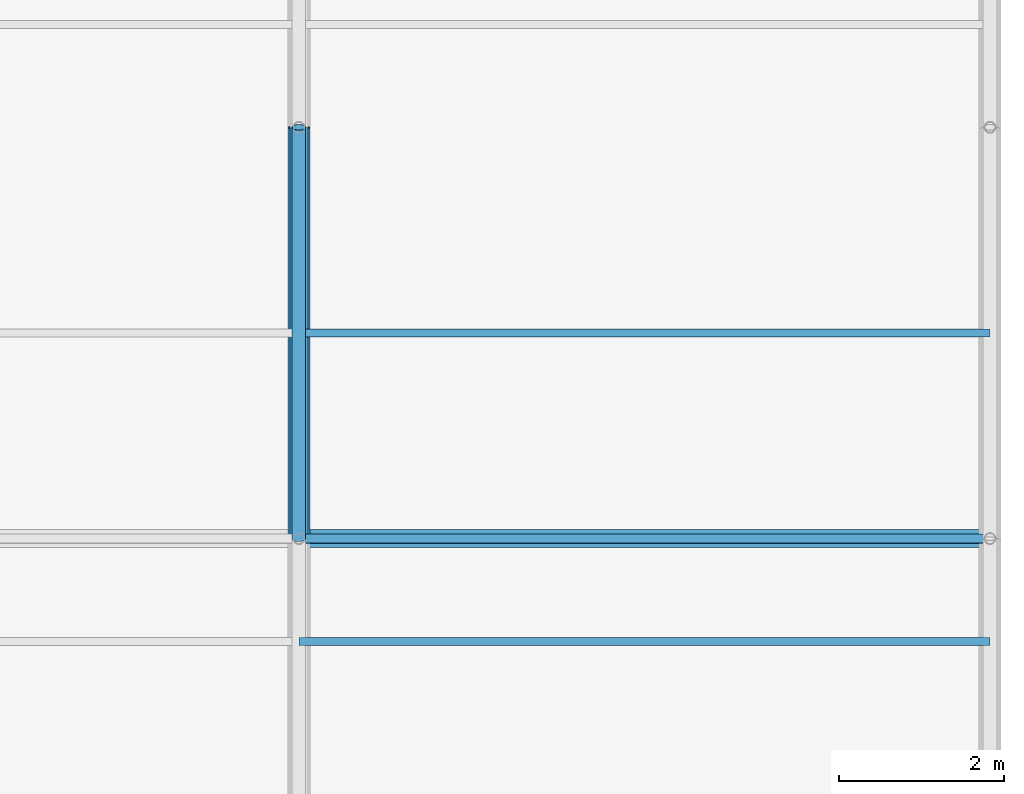
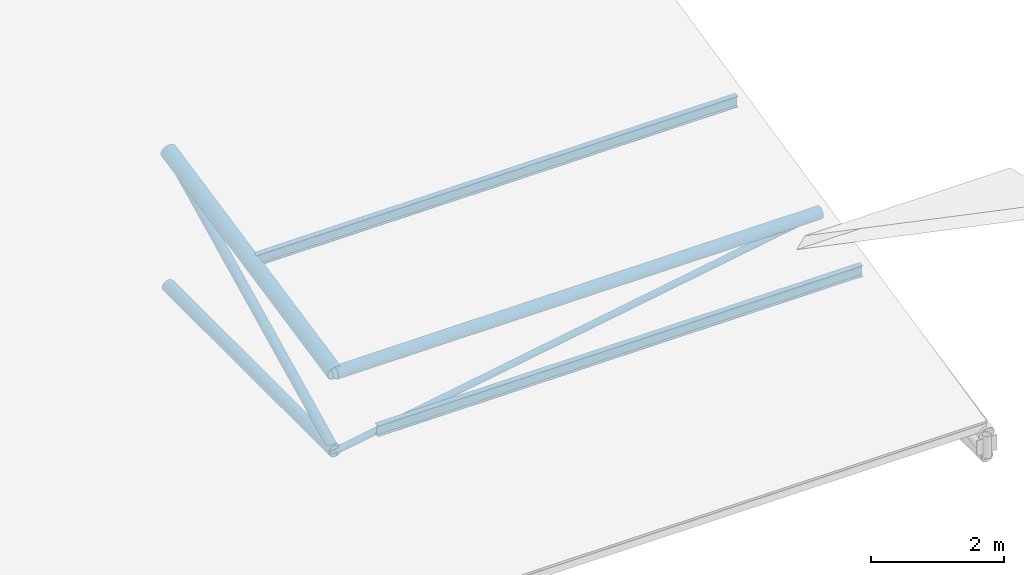
# One storey, part 82 of 194: 5 members, 2 beams.
"""IFC4 building model written with IfcOpenShell, lengths in metres."""

import ifcopenshell
import ifcopenshell.guid

model = None  # the IFC model being written
_history = None  # IfcOwnerHistory: only IFC2X3 demands one
_inside = {}  # id of a spatial element -> (the spatial element, [elements in it])
_under = {}  # id of a project, library or spatial element -> (it, [spatial elements below it])
_declared = {}  # id of a project -> (the project, [libraries it declares])
_typed = {}  # id of a type object -> (the type object, [elements of that type])
_made_of = {}  # id of a material, layer set ... -> (it, [elements and type objects made of it])


def new_model(schema):
    """Start an empty IFC model of exactly this schema.

    Asked for "IFC4X3", IfcOpenShell would pick the latest addendum, in which some entities
    have other attributes; the version numbers below select the first issue.
    IFC2X3 requires an IfcOwnerHistory on every rooted entity: one is made here for all.
    """
    global model, _history
    if schema == "IFC4X3":
        model = ifcopenshell.file(schema_version=(4, 3, 0, 0))
    else:
        model = ifcopenshell.file(schema=schema)
    _inside.clear()
    _under.clear()
    _declared.clear()
    _typed.clear()
    _made_of.clear()
    _history = None
    if model.schema == "IFC2X3":
        org = make("IfcOrganization", Name="unknown")
        user = make(
            "IfcPersonAndOrganization",
            ThePerson=make("IfcPerson", FamilyName="unknown"),
            TheOrganization=org,
        )
        app = make(
            "IfcApplication",
            ApplicationDeveloper=org,
            Version="unknown",
            ApplicationFullName="unknown",
            ApplicationIdentifier="unknown",
        )
        _history = make(
            "IfcOwnerHistory",
            OwningUser=user,
            OwningApplication=app,
            ChangeAction="ADDED",
            CreationDate=0,
        )
    return model


def make(cls, **values):
    """One entity of the class cls with the attributes given. An attribute that is None is left unset."""
    return model.create_entity(
        cls, **{name: value for name, value in values.items() if value is not None}
    )


def rooted(cls, **values):
    """An entity with a GlobalId (a new one), such as an element, a storey or a relation."""
    return make(cls, GlobalId=ifcopenshell.guid.new(), OwnerHistory=_history, **values)


def si_unit(unit_type, name, prefix=None):
    """IfcSIUnit, for example si_unit("LENGTHUNIT", "METRE", prefix="MILLI")."""
    return make("IfcSIUnit", UnitType=unit_type, Prefix=prefix, Name=name)


def assignment(units):
    """IfcUnitAssignment: the units of a project."""
    return None if units is None else make("IfcUnitAssignment", Units=units)


def point(xyz):
    """IfcCartesianPoint."""
    return None if xyz is None else make("IfcCartesianPoint", Coordinates=xyz)


def direction(xyz):
    """IfcDirection."""
    return None if xyz is None else make("IfcDirection", DirectionRatios=xyz)


def frame(location, z_axis=None, x_axis=None):
    """IfcAxis2Placement3D, a coordinate frame: its origin and axes. An axis left out is left unset."""
    return make(
        "IfcAxis2Placement3D",
        Location=point(location),
        Axis=direction(z_axis),
        RefDirection=direction(x_axis),
    )


def frame_2d(location, x_axis=None):
    """IfcAxis2Placement2D, a coordinate frame in the plane: its origin and x axis."""
    return make(
        "IfcAxis2Placement2D", Location=point(location), RefDirection=direction(x_axis)
    )


def origin():
    """The frame at (0, 0, 0) with its axes left unset."""
    return frame((0.0, 0.0, 0.0))


def origin_2d():
    """The frame at (0, 0) in the plane with its x axis left unset."""
    return frame_2d((0.0, 0.0))


def place(relative_to, where):
    """IfcLocalPlacement: puts the frame where relative to a parent placement (None: the world)."""
    return make(
        "IfcLocalPlacement", PlacementRelTo=relative_to, RelativePlacement=where
    )


def context(
    kind, dimensions, precision=None, world=None, true_north=None, identifier=None
):
    """IfcGeometricRepresentationContext, for example the 3D "Model" context."""
    return make(
        "IfcGeometricRepresentationContext",
        ContextIdentifier=identifier,
        ContextType=kind,
        CoordinateSpaceDimension=dimensions,
        Precision=precision,
        WorldCoordinateSystem=world,
        TrueNorth=true_north,
    )


def subcontext(parent, identifier, kind, view, scale=None):
    """IfcGeometricRepresentationSubContext, for example "Body" below "Model"."""
    return make(
        "IfcGeometricRepresentationSubContext",
        ContextIdentifier=identifier,
        ContextType=kind,
        ParentContext=parent,
        TargetScale=scale,
        TargetView=view,
    )


def project(units=None, contexts=None):
    """IfcProject with its units and contexts."""
    return rooted(
        "IfcProject",
        Name="project",
        RepresentationContexts=contexts,
        UnitsInContext=assignment(units),
    )


def spatial(cls, under=None, at=None, **own):
    """A site, building, storey or space (cls), placed at a placement, below another one or the project."""
    s = rooted(cls, ObjectPlacement=at, **own)
    if under is not None:
        _under.setdefault(under.id(), (under, []))[1].append(s)
    return s


def profile(cls, at=None, kind="AREA", **sizes):
    """A parametric profile (cls). Its sizes go by their IFC names, for example OverallWidth=200.0."""
    return make(cls, ProfileType=kind, Position=at, **sizes)


def hollow_circle(**sizes):
    """IfcCircleHollowProfileDef."""
    return profile("IfcCircleHollowProfileDef", **sizes)


def i_section(**sizes):
    """IfcIShapeProfileDef."""
    return profile("IfcIShapeProfileDef", **sizes)


def extrude(swept, where, along, depth):
    """IfcExtrudedAreaSolid: the profile swept, set in the frame where, extruded along a direction by depth."""
    return make(
        "IfcExtrudedAreaSolid",
        SweptArea=swept,
        Position=where,
        ExtrudedDirection=direction(along),
        Depth=depth,
    )


def shape(context_of_items, identifier, shape_type, items):
    """IfcShapeRepresentation: the items that make up one representation, for example the "Body"."""
    return make(
        "IfcShapeRepresentation",
        ContextOfItems=context_of_items,
        RepresentationIdentifier=identifier,
        RepresentationType=shape_type,
        Items=items,
    )


def material(Name=None, Category=None):
    """IfcMaterial."""
    return make("IfcMaterial", Name=Name, Category=Category)


def material_profile(
    of_material, cross_section, Name=None, Category=None, Priority=None
):
    """IfcMaterialProfile: a cross section and its material."""
    return make(
        "IfcMaterialProfile",
        Name=Name,
        Material=of_material,
        Profile=cross_section,
        Priority=Priority,
        Category=Category,
    )


def profile_set(profiles, Name=None, composite=None):
    """IfcMaterialProfileSet."""
    return make(
        "IfcMaterialProfileSet",
        Name=Name,
        MaterialProfiles=profiles,
        CompositeProfile=composite,
    )


def made_of(thing, what):
    """Note that an element or type object is made of a material, layer set ...; save() writes the relation."""
    if what is not None:
        _made_of.setdefault(what.id(), (what, []))[1].append(thing)
    return thing


def type_object(cls, material=None, **own):
    """A type object (cls), such as IfcWallType, which elements share."""
    return made_of(rooted(cls, **own), material)


def element(
    cls,
    number,
    at=None,
    inside=None,
    cuts=None,
    type_object=None,
    material=None,
    context=None,
    identifier="Body",
    shape_type=None,
    held_by="IfcProductDefinitionShape",
    body=None,
    shapes=None,
    **own,
):
    """One element of the class cls, such as IfcWall. Its Tag is "e" and its number.

    at: its placement. inside: the storey or other place that contains it. cuts: it is an
    opening in that element (IfcRelVoidsElement). A single representation is given by context,
    identifier, shape_type and body (its items); several are given by shapes. held_by: the class
    of the entity that holds the representations. save() writes the other relations.
    """
    e = rooted(cls, Tag="e%d" % number, ObjectPlacement=at, **own)
    if body is not None:
        shapes = [shape(context, identifier, shape_type, body)]
    if shapes is not None:
        e.Representation = make(held_by, Representations=shapes)
    if inside is not None:
        _inside.setdefault(inside.id(), (inside, []))[1].append(e)
    if cuts is not None:
        rooted(
            "IfcRelVoidsElement", RelatingBuildingElement=cuts, RelatedOpeningElement=e
        )
    if type_object is not None:
        _typed.setdefault(type_object.id(), (type_object, []))[1].append(e)
    return made_of(e, material)


def aggregate(whole, parts):
    """IfcRelAggregates: a whole, such as a stair, and the parts it consists of."""
    return rooted("IfcRelAggregates", RelatingObject=whole, RelatedObjects=parts)


def save(model, path):
    """Write the relations noted so far, then the file.

    IfcRelAggregates (storeys below a building ...), IfcRelContainedInSpatialStructure (elements
    in a storey), IfcRelDefinesByType, IfcRelAssociatesMaterial and IfcRelDeclares: one each for
    every whole, place, type object, material and project.
    """
    for whole, parts in _under.values():
        aggregate(whole, parts)
    for where, things in _inside.values():
        rooted(
            "IfcRelContainedInSpatialStructure",
            RelatedElements=things,
            RelatingStructure=where,
        )
    for kind, things in _typed.values():
        rooted("IfcRelDefinesByType", RelatedObjects=things, RelatingType=kind)
    for what, things in _made_of.values():
        rooted("IfcRelAssociatesMaterial", RelatedObjects=things, RelatingMaterial=what)
    for by, libraries in _declared.values():
        rooted("IfcRelDeclares", RelatingContext=by, RelatedDefinitions=libraries)
    model.write(path)


model = new_model("IFC4")

# Units and contexts
model_context = context("Model", 3, precision=1e-05, world=origin(), true_north=direction((0.0, 1.0)))
body_context = subcontext(model_context, "Body", "Model", "MODEL_VIEW")
ifc_project = project(units=[si_unit("LENGTHUNIT", "METRE"), si_unit("AREAUNIT", "SQUARE_METRE"), si_unit("VOLUMEUNIT", "CUBIC_METRE"), si_unit("PLANEANGLEUNIT", "RADIAN"), si_unit("MASSUNIT", "GRAM", prefix="KILO")], contexts=[model_context])

# Site, building, storey
site_placement = place(None, origin())
site = spatial("IfcSite", under=ifc_project, at=site_placement, CompositionType="ELEMENT")
building_placement = place(site_placement, origin())
building = spatial("IfcBuilding", under=site, at=building_placement, Name="Kazenagashi Tramway Depot", CompositionType="ELEMENT")
storey_placement = place(building_placement, frame((0.0, 0.0, 23.7)))
storey = spatial("IfcBuildingStorey", under=building, at=storey_placement, Name="ROOF", CompositionType="ELEMENT", Elevation=23.7)

# Beams
ifc_material_1 = material(Name="Steel SN400B", Category="steel")
ifc_material_profile_1 = material_profile(ifc_material_1, i_section(OverallWidth=0.1, OverallDepth=0.2, WebThickness=0.0055, FlangeThickness=0.008, at=origin_2d()), Name="H-200x100x5.5x8")
ifc_profile_set_1 = profile_set([ifc_material_profile_1], Name="Steel SN400B")
beam_type = type_object("IfcBeamType", Name="PR-01", PredefinedType="USERDEFINED", material=ifc_profile_set_1)
for number, where, z_axis, x_axis, name in (
    (1, (187.6, 73.75, -12.955), (1.0, 0.0, 0.0), (0.0, 1.0, 0.0), "Beam PR-01 BM-2035"),
    (2, (187.6, 77.5, -12.13), (1.0, 0.0, 0.0), (0.0, 1.0, 0.0), "Beam PR-01 BM-2053"),
):
    element("IfcBeam", number, at=place(storey_placement, frame(where, z_axis=z_axis, x_axis=x_axis)), inside=storey, type_object=beam_type, Name=name, ObjectType="PURLIN", PredefinedType="USERDEFINED", context=body_context, shape_type="SweptSolid", body=[
        extrude(i_section(OverallWidth=0.1, OverallDepth=0.2, WebThickness=0.0055, FlangeThickness=0.008, at=origin_2d()), origin(), (0.0, 0.0, 1.0), 8.4),
    ])

# Members
ifc_material_2 = material(Name="Steel STK490", Category="steel")
ifc_material_profile_2 = material_profile(ifc_material_2, hollow_circle(Radius=0.1337, WallThickness=0.0093, at=origin_2d()), Name="CHS-267.4x9.3")
ifc_profile_set_2 = profile_set([ifc_material_profile_2], Name="Steel STK490")
member_type_1 = type_object("IfcMemberType", Name="TC-01", PredefinedType="CHORD", material=ifc_profile_set_2)
member_1_placement = place(storey_placement, frame((187.6, 75.0, -12.667), z_axis=(0.0, 0.979279174591, 0.202514933305), x_axis=(-1.0, 0.0, 0.0)))
element("IfcMember", 3, at=member_1_placement, inside=storey, type_object=member_type_1, Name="Tubular Space Frame TC-01 MEM-1041", PredefinedType="CHORD", context=body_context, shape_type="SweptSolid", body=[
    extrude(hollow_circle(Radius=0.1337, WallThickness=0.0093, at=origin_2d()), origin(), (0.0, 0.0, 1.0), 5.105796),
])
ifc_material_profile_3 = material_profile(ifc_material_2, hollow_circle(Radius=0.10815, WallThickness=0.0082, at=origin_2d()), Name="CHS-216.3x8.2")
ifc_profile_set_3 = profile_set([ifc_material_profile_3], Name="Steel STK490")
member_type_2 = type_object("IfcMemberType", Name="TC-02", PredefinedType="CHORD", material=ifc_profile_set_3)
member_2_placement = place(storey_placement, frame((187.6, 75.0, -14.1), z_axis=(0.0, 1.0, 0.0), x_axis=(-1.0, 0.0, 0.0)))
element("IfcMember", 4, at=member_2_placement, inside=storey, type_object=member_type_2, Name="Tubular Space Frame TC-02 MEM-1042", PredefinedType="CHORD", context=body_context, shape_type="SweptSolid", body=[
    extrude(hollow_circle(Radius=0.10815, WallThickness=0.0082, at=origin_2d()), origin(), (0.0, 0.0, 1.0), 5.0),
])
member_3_placement = place(storey_placement, frame((187.6, 75.0, -12.667), z_axis=(1.0, 0.0, 0.0), x_axis=(0.0, 1.0, 0.0)))
element("IfcMember", 5, at=member_3_placement, inside=storey, type_object=member_type_2, Name="Tubular Space Frame TC-02 MEM-1063", PredefinedType="CHORD", context=body_context, shape_type="SweptSolid", body=[
    extrude(hollow_circle(Radius=0.10815, WallThickness=0.0082, at=origin_2d()), origin(), (0.0, 0.0, 1.0), 8.4),
])
ifc_material_profile_4 = material_profile(ifc_material_2, hollow_circle(Radius=0.0826, WallThickness=0.0071, at=origin_2d()), Name="CHS-165.2x7.1")
ifc_profile_set_4 = profile_set([ifc_material_profile_4], Name="Steel STK490")
member_type_3 = type_object("IfcMemberType", Name="TS-01", PredefinedType="STRUT", material=ifc_profile_set_4)
member_4_placement = place(storey_placement, frame((187.6, 75.0, -14.1), z_axis=(0.0, 0.896782162482, 0.442472318969), x_axis=(-1.0, 0.0, 0.0)))
element("IfcMember", 6, at=member_4_placement, inside=storey, type_object=member_type_3, Name="Tubular Space Frame TS-01 MEM-1043", PredefinedType="STRUT", context=body_context, shape_type="SweptSolid", body=[
    extrude(hollow_circle(Radius=0.0826, WallThickness=0.0071, at=origin_2d()), origin(), (0.0, 0.0, 1.0), 5.57549),
])
ifc_material_3 = material(Name="Steel STK400", Category="steel")
ifc_material_profile_5 = material_profile(ifc_material_3, hollow_circle(Radius=0.05715, WallThickness=0.0045, at=origin_2d()), Name="CHS-114.3x4.5")
ifc_profile_set_5 = profile_set([ifc_material_profile_5], Name="Steel STK400")
member_type_4 = type_object("IfcMemberType", Name="TS-03", PredefinedType="STRUT", material=ifc_profile_set_5)
member_5_placement = place(storey_placement, frame((187.6, 75.0, -14.1), z_axis=(0.985758734117, 0.0, 0.168165745951), x_axis=(0.0, 1.0, 0.0)))
element("IfcMember", 7, at=member_5_placement, inside=storey, type_object=member_type_4, Name="Tubular Space Frame TS-03 MEM-1064", PredefinedType="STRUT", context=body_context, shape_type="SweptSolid", body=[
    extrude(hollow_circle(Radius=0.05715, WallThickness=0.0045, at=origin_2d()), origin(), (0.0, 0.0, 1.0), 8.521355),
])

save(model, "model.ifc")
